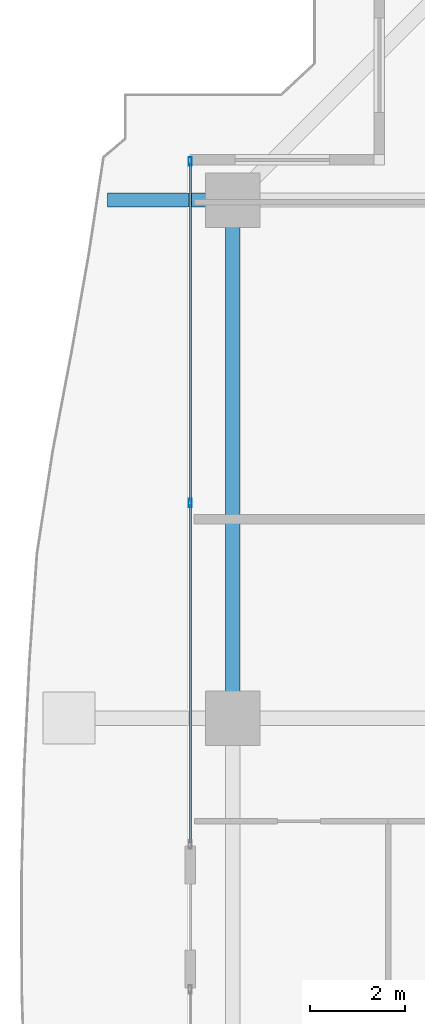
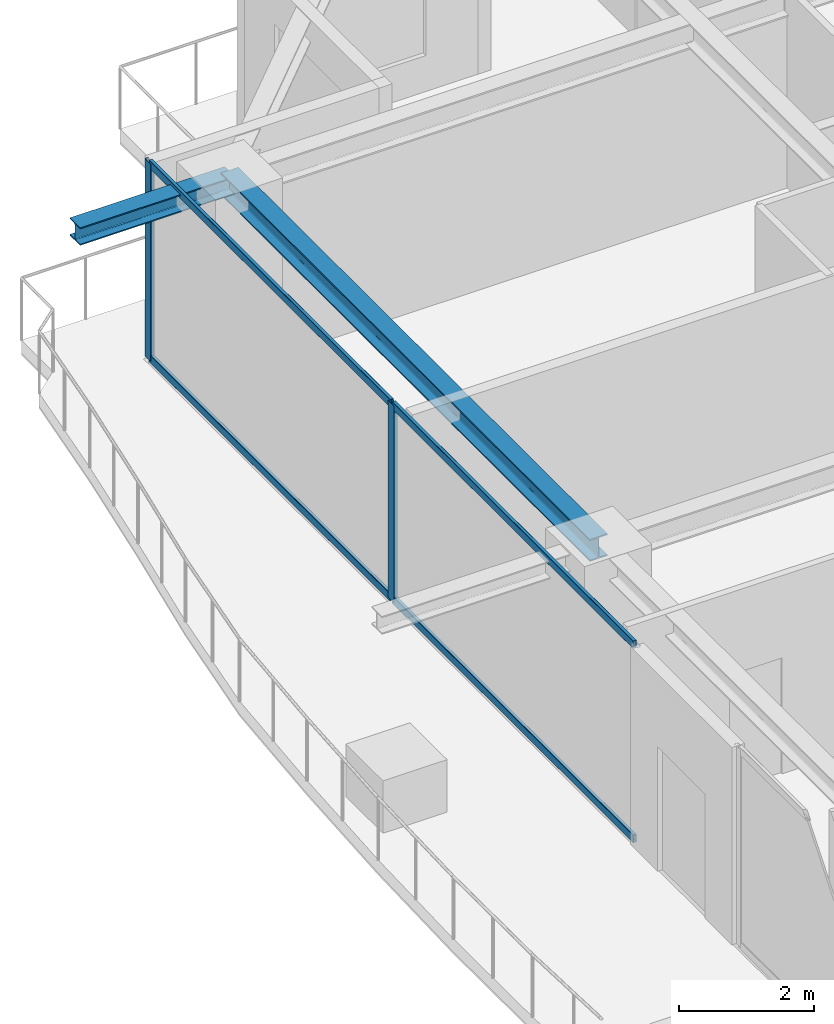
# One storey, part 16 of 37: 6 members, 2 beams, 1 element without a shape of its own.
"""IFC4 building model written with IfcOpenShell, lengths in metres."""

import ifcopenshell
import ifcopenshell.guid

model = None  # the IFC model being written
_history = None  # IfcOwnerHistory: only IFC2X3 demands one
_inside = {}  # id of a spatial element -> (the spatial element, [elements in it])
_under = {}  # id of a project, library or spatial element -> (it, [spatial elements below it])
_declared = {}  # id of a project -> (the project, [libraries it declares])
_typed = {}  # id of a type object -> (the type object, [elements of that type])
_made_of = {}  # id of a material, layer set ... -> (it, [elements and type objects made of it])


def new_model(schema):
    """Start an empty IFC model of exactly this schema.

    Asked for "IFC4X3", IfcOpenShell would pick the latest addendum, in which some entities
    have other attributes; the version numbers below select the first issue.
    IFC2X3 requires an IfcOwnerHistory on every rooted entity: one is made here for all.
    """
    global model, _history
    if schema == "IFC4X3":
        model = ifcopenshell.file(schema_version=(4, 3, 0, 0))
    else:
        model = ifcopenshell.file(schema=schema)
    _inside.clear()
    _under.clear()
    _declared.clear()
    _typed.clear()
    _made_of.clear()
    _history = None
    if model.schema == "IFC2X3":
        org = make("IfcOrganization", Name="unknown")
        user = make(
            "IfcPersonAndOrganization",
            ThePerson=make("IfcPerson", FamilyName="unknown"),
            TheOrganization=org,
        )
        app = make(
            "IfcApplication",
            ApplicationDeveloper=org,
            Version="unknown",
            ApplicationFullName="unknown",
            ApplicationIdentifier="unknown",
        )
        _history = make(
            "IfcOwnerHistory",
            OwningUser=user,
            OwningApplication=app,
            ChangeAction="ADDED",
            CreationDate=0,
        )
    return model


def make(cls, **values):
    """One entity of the class cls with the attributes given. An attribute that is None is left unset."""
    return model.create_entity(
        cls, **{name: value for name, value in values.items() if value is not None}
    )


def rooted(cls, **values):
    """An entity with a GlobalId (a new one), such as an element, a storey or a relation."""
    return make(cls, GlobalId=ifcopenshell.guid.new(), OwnerHistory=_history, **values)


def si_unit(unit_type, name, prefix=None):
    """IfcSIUnit, for example si_unit("LENGTHUNIT", "METRE", prefix="MILLI")."""
    return make("IfcSIUnit", UnitType=unit_type, Prefix=prefix, Name=name)


def assignment(units):
    """IfcUnitAssignment: the units of a project."""
    return None if units is None else make("IfcUnitAssignment", Units=units)


def point(xyz):
    """IfcCartesianPoint."""
    return None if xyz is None else make("IfcCartesianPoint", Coordinates=xyz)


def direction(xyz):
    """IfcDirection."""
    return None if xyz is None else make("IfcDirection", DirectionRatios=xyz)


def frame(location, z_axis=None, x_axis=None):
    """IfcAxis2Placement3D, a coordinate frame: its origin and axes. An axis left out is left unset."""
    return make(
        "IfcAxis2Placement3D",
        Location=point(location),
        Axis=direction(z_axis),
        RefDirection=direction(x_axis),
    )


def frame_2d(location, x_axis=None):
    """IfcAxis2Placement2D, a coordinate frame in the plane: its origin and x axis."""
    return make(
        "IfcAxis2Placement2D", Location=point(location), RefDirection=direction(x_axis)
    )


def origin():
    """The frame at (0, 0, 0) with its axes left unset."""
    return frame((0.0, 0.0, 0.0))


def origin_2d():
    """The frame at (0, 0) in the plane with its x axis left unset."""
    return frame_2d((0.0, 0.0))


def place(relative_to, where):
    """IfcLocalPlacement: puts the frame where relative to a parent placement (None: the world)."""
    return make(
        "IfcLocalPlacement", PlacementRelTo=relative_to, RelativePlacement=where
    )


def context(
    kind, dimensions, precision=None, world=None, true_north=None, identifier=None
):
    """IfcGeometricRepresentationContext, for example the 3D "Model" context."""
    return make(
        "IfcGeometricRepresentationContext",
        ContextIdentifier=identifier,
        ContextType=kind,
        CoordinateSpaceDimension=dimensions,
        Precision=precision,
        WorldCoordinateSystem=world,
        TrueNorth=true_north,
    )


def subcontext(parent, identifier, kind, view, scale=None):
    """IfcGeometricRepresentationSubContext, for example "Body" below "Model"."""
    return make(
        "IfcGeometricRepresentationSubContext",
        ContextIdentifier=identifier,
        ContextType=kind,
        ParentContext=parent,
        TargetScale=scale,
        TargetView=view,
    )


def project(units=None, contexts=None):
    """IfcProject with its units and contexts."""
    return rooted(
        "IfcProject",
        Name="project",
        RepresentationContexts=contexts,
        UnitsInContext=assignment(units),
    )


def spatial(cls, under=None, at=None, **own):
    """A site, building, storey or space (cls), placed at a placement, below another one or the project."""
    s = rooted(cls, ObjectPlacement=at, **own)
    if under is not None:
        _under.setdefault(under.id(), (under, []))[1].append(s)
    return s


def profile(cls, at=None, kind="AREA", **sizes):
    """A parametric profile (cls). Its sizes go by their IFC names, for example OverallWidth=200.0."""
    return make(cls, ProfileType=kind, Position=at, **sizes)


def hollow_rectangle(**sizes):
    """IfcRectangleHollowProfileDef."""
    return profile("IfcRectangleHollowProfileDef", **sizes)


def i_section(**sizes):
    """IfcIShapeProfileDef."""
    return profile("IfcIShapeProfileDef", **sizes)


def extrude(swept, where, along, depth):
    """IfcExtrudedAreaSolid: the profile swept, set in the frame where, extruded along a direction by depth."""
    return make(
        "IfcExtrudedAreaSolid",
        SweptArea=swept,
        Position=where,
        ExtrudedDirection=direction(along),
        Depth=depth,
    )


def shape(context_of_items, identifier, shape_type, items):
    """IfcShapeRepresentation: the items that make up one representation, for example the "Body"."""
    return make(
        "IfcShapeRepresentation",
        ContextOfItems=context_of_items,
        RepresentationIdentifier=identifier,
        RepresentationType=shape_type,
        Items=items,
    )


def source(mapping_origin, context_of_items, identifier, shape_type, items):
    """IfcRepresentationMap: a shape defined once, which mapped items show again and again."""
    return make(
        "IfcRepresentationMap",
        MappingOrigin=mapping_origin,
        MappedRepresentation=shape(context_of_items, identifier, shape_type, items),
    )


def transform(
    local_origin,
    x_axis=None,
    y_axis=None,
    z_axis=None,
    scale=None,
    scale2=None,
    scale3=None,
    uniform=True,
):
    """IfcCartesianTransformationOperator3D, or its non-uniform kind. x_axis, y_axis, z_axis: its Axis1, 2, 3."""
    if uniform:
        return make(
            "IfcCartesianTransformationOperator3D",
            Axis1=direction(x_axis),
            Axis2=direction(y_axis),
            LocalOrigin=point(local_origin),
            Scale=scale,
            Axis3=direction(z_axis),
        )
    return make(
        "IfcCartesianTransformationOperator3DnonUniform",
        Axis1=direction(x_axis),
        Axis2=direction(y_axis),
        LocalOrigin=point(local_origin),
        Scale=scale,
        Axis3=direction(z_axis),
        Scale2=scale2,
        Scale3=scale3,
    )


def mapped(mapping_source, mapping_target):
    """IfcMappedItem: shows the shape of a source again, moved by a transform."""
    return make(
        "IfcMappedItem", MappingSource=mapping_source, MappingTarget=mapping_target
    )


def material(Name=None, Category=None):
    """IfcMaterial."""
    return make("IfcMaterial", Name=Name, Category=Category)


def layer(
    of_material, thickness, ventilated=None, Name=None, Category=None, Priority=None
):
    """IfcMaterialLayer: one layer of a wall or slab, of a material (None: an air gap)."""
    return make(
        "IfcMaterialLayer",
        Material=of_material,
        LayerThickness=thickness,
        IsVentilated=ventilated,
        Name=Name,
        Category=Category,
        Priority=Priority,
    )


def layer_set(layers, Name=None):
    """IfcMaterialLayerSet."""
    return make("IfcMaterialLayerSet", MaterialLayers=layers, LayerSetName=Name)


def material_profile(
    of_material, cross_section, Name=None, Category=None, Priority=None
):
    """IfcMaterialProfile: a cross section and its material."""
    return make(
        "IfcMaterialProfile",
        Name=Name,
        Material=of_material,
        Profile=cross_section,
        Priority=Priority,
        Category=Category,
    )


def profile_set(profiles, Name=None, composite=None):
    """IfcMaterialProfileSet."""
    return make(
        "IfcMaterialProfileSet",
        Name=Name,
        MaterialProfiles=profiles,
        CompositeProfile=composite,
    )


def made_of(thing, what):
    """Note that an element or type object is made of a material, layer set ...; save() writes the relation."""
    if what is not None:
        _made_of.setdefault(what.id(), (what, []))[1].append(thing)
    return thing


def type_object(cls, material=None, **own):
    """A type object (cls), such as IfcWallType, which elements share."""
    return made_of(rooted(cls, **own), material)


def element(
    cls,
    number,
    at=None,
    inside=None,
    cuts=None,
    type_object=None,
    material=None,
    context=None,
    identifier="Body",
    shape_type=None,
    held_by="IfcProductDefinitionShape",
    body=None,
    shapes=None,
    **own,
):
    """One element of the class cls, such as IfcWall. Its Tag is "e" and its number.

    at: its placement. inside: the storey or other place that contains it. cuts: it is an
    opening in that element (IfcRelVoidsElement). A single representation is given by context,
    identifier, shape_type and body (its items); several are given by shapes. held_by: the class
    of the entity that holds the representations. save() writes the other relations.
    """
    e = rooted(cls, Tag="e%d" % number, ObjectPlacement=at, **own)
    if body is not None:
        shapes = [shape(context, identifier, shape_type, body)]
    if shapes is not None:
        e.Representation = make(held_by, Representations=shapes)
    if inside is not None:
        _inside.setdefault(inside.id(), (inside, []))[1].append(e)
    if cuts is not None:
        rooted(
            "IfcRelVoidsElement", RelatingBuildingElement=cuts, RelatedOpeningElement=e
        )
    if type_object is not None:
        _typed.setdefault(type_object.id(), (type_object, []))[1].append(e)
    return made_of(e, material)


def aggregate(whole, parts):
    """IfcRelAggregates: a whole, such as a stair, and the parts it consists of."""
    return rooted("IfcRelAggregates", RelatingObject=whole, RelatedObjects=parts)


def save(model, path):
    """Write the relations noted so far, then the file.

    IfcRelAggregates (storeys below a building ...), IfcRelContainedInSpatialStructure (elements
    in a storey), IfcRelDefinesByType, IfcRelAssociatesMaterial and IfcRelDeclares: one each for
    every whole, place, type object, material and project.
    """
    for whole, parts in _under.values():
        aggregate(whole, parts)
    for where, things in _inside.values():
        rooted(
            "IfcRelContainedInSpatialStructure",
            RelatedElements=things,
            RelatingStructure=where,
        )
    for kind, things in _typed.values():
        rooted("IfcRelDefinesByType", RelatedObjects=things, RelatingType=kind)
    for what, things in _made_of.values():
        rooted("IfcRelAssociatesMaterial", RelatedObjects=things, RelatingMaterial=what)
    for by, libraries in _declared.values():
        rooted("IfcRelDeclares", RelatingContext=by, RelatedDefinitions=libraries)
    model.write(path)


model = new_model("IFC4")

# Units and contexts
model_context = context("Model", 3, precision=1e-05, world=origin(), true_north=direction((0.0, 1.0)))
body_context = subcontext(model_context, "Body", "Model", "MODEL_VIEW")
ifc_project = project(units=[si_unit("LENGTHUNIT", "METRE"), si_unit("AREAUNIT", "SQUARE_METRE"), si_unit("VOLUMEUNIT", "CUBIC_METRE"), si_unit("PLANEANGLEUNIT", "RADIAN"), si_unit("MASSUNIT", "GRAM", prefix="KILO")], contexts=[model_context])

# Site, building, storey
site_placement = place(None, origin())
site = spatial("IfcSite", under=ifc_project, at=site_placement, CompositionType="ELEMENT")
building_placement = place(site_placement, origin())
building = spatial("IfcBuilding", under=site, at=building_placement, Name="Serunith Strait Residences", CompositionType="ELEMENT")
storey_placement = place(building_placement, frame((0.0, 0.0, 218.14990234375)))
storey = spatial("IfcBuildingStorey", under=building, at=storey_placement, Name="L54", CompositionType="ELEMENT", Elevation=218.14990234375)

# Beams
ifc_material_1 = material(Name="Steel S355J2", Category="steel")
ifc_material_profile_1 = material_profile(ifc_material_1, i_section(OverallWidth=0.300048828125, OverallDepth=0.39990234375, WebThickness=0.013427734375, FlangeThickness=0.02392578125, FilletRadius=0.027099609375, at=origin_2d()), Name="HEB 400")
ifc_profile_set_1 = profile_set([ifc_material_profile_1], Name="Steel S355J2")
beam_type_1 = type_object("IfcBeamType", Name="BM-HEB400", PredefinedType="BEAM", material=ifc_profile_set_1)
shared_shape_1 = source(origin(), body_context, "Body", "SweptSolid", [
    extrude(i_section(OverallWidth=0.300048828125, OverallDepth=0.39990234375, WebThickness=0.013427734375, FlangeThickness=0.02392578125, FilletRadius=0.027099609375, at=origin_2d()), origin(), (0.0, 0.0, 1.0), 10.9501953125),
])
beam_1_placement = place(storey_placement, frame((8.300048828125, 40.35009765625, 3.38720703125), z_axis=(0.0, -1.0, 0.0), x_axis=(1.0, 0.0, 0.0)))
element("IfcBeam", 1, at=beam_1_placement, inside=storey, type_object=beam_type_1, Name="L54 Perimeter Ring Beam 13", PredefinedType="BEAM", context=body_context, shape_type="MappedRepresentation", body=[
    mapped(shared_shape_1, transform((0.0, 0.0, 0.0), scale=1.0)),
])
ifc_material_profile_2 = material_profile(ifc_material_1, i_section(OverallWidth=0.300048828125, OverallDepth=0.320068359375, WebThickness=0.011474609375, FlangeThickness=0.0205078125, FilletRadius=0.027099609375, at=origin_2d()), Name="HEB 320")
ifc_profile_set_2 = profile_set([ifc_material_profile_2], Name="Steel S355J2")
beam_type_2 = type_object("IfcBeamType", Name="BM-HEB320", PredefinedType="BEAM", material=ifc_profile_set_2)
shared_shape_2 = source(origin(), body_context, "Body", "SweptSolid", [
    extrude(i_section(OverallWidth=0.300048828125, OverallDepth=0.320068359375, WebThickness=0.011474609375, FlangeThickness=0.0205078125, FilletRadius=0.027099609375, at=origin_2d()), origin(), (0.0, 0.0, 1.0), 2.6494140625),
])
beam_2_placement = place(storey_placement, frame((8.300048828125, 40.35009765625, 3.397216796875), z_axis=(-1.0, 0.0, 0.0), x_axis=(0.0, -1.0, 0.0)))
element("IfcBeam", 2, at=beam_2_placement, inside=storey, type_object=beam_type_2, Name="L55 Cantilevered Balcony Rib TC-W4", PredefinedType="BEAM", context=body_context, shape_type="MappedRepresentation", body=[
    mapped(shared_shape_2, transform((0.0, 0.0, 0.0), scale=1.0)),
])

# Curtain wall, members
ifc_material_2 = material(Name="Pale-Champagne Anodised Aluminium", Category="aluminium")
ifc_layer = layer(ifc_material_2, 0.199951171875, Name="Pale-Champagne Anodised Aluminium")
ifc_layer_set = layer_set([ifc_layer], Name="Pale-Champagne Anodised Aluminium")
curtain_wall_type = type_object("IfcCurtainWallType", Name="CW-SYS4", PredefinedType="NOTDEFINED", material=ifc_layer_set)
curtain_wall_placement = place(storey_placement, origin())
curtain_wall = element("IfcCurtainWall", 3, at=curtain_wall_placement, inside=storey, type_object=curtain_wall_type, Name="L54 W Unitised Fritted Curtain Wall", PredefinedType="NOTDEFINED")
ifc_material_profile_3 = material_profile(ifc_material_2, hollow_rectangle(XDim=0.06005859375, YDim=0.139892578125, WallThickness=0.00341796875, InnerFilletRadius=0.00537109375, OuterFilletRadius=0.0087890625, at=origin_2d()), Name="ALU 140x60x3.5")
ifc_profile_set_3 = profile_set([ifc_material_profile_3], Name="Pale-Champagne Anodised Aluminium")
member_type_1 = type_object("IfcMemberType", Name="CW-SYS4-TRAN", PredefinedType="USERDEFINED", material=ifc_profile_set_3)
shared_shape_3 = source(origin(), body_context, "Body", "SweptSolid", [
    extrude(hollow_rectangle(XDim=0.06005859375, YDim=0.139892578125, WallThickness=0.00341796875, InnerFilletRadius=0.00537109375, OuterFilletRadius=0.0087890625, at=origin_2d()), origin(), (0.0, 0.0, 1.0), 7.152587890625),
])
member_1_placement = place(storey_placement, frame((7.39990234375, 41.135009765625, 0.030029296875), z_axis=(0.0, -1.0, 0.0), x_axis=(1.0, 0.0, 0.0)))
member_1 = element("IfcMember", 4, at=member_1_placement, type_object=member_type_1, Name="CW-4 transom 1.1", ObjectType="TRANSOM", PredefinedType="USERDEFINED", context=body_context, shape_type="MappedRepresentation", body=[
    mapped(shared_shape_3, transform((0.0, 0.0, 0.0), scale=1.0)),
])
member_2_placement = place(storey_placement, frame((7.39990234375, 41.135009765625, 3.545166015625), z_axis=(0.0, -1.0, 0.0), x_axis=(1.0, 0.0, 0.0)))
member_2 = element("IfcMember", 5, at=member_2_placement, type_object=member_type_1, Name="CW-4 transom 1.2", ObjectType="TRANSOM", PredefinedType="USERDEFINED", context=body_context, shape_type="MappedRepresentation", body=[
    mapped(shared_shape_3, transform((0.0, 0.0, 0.0), scale=1.0)),
])
member_3_placement = place(storey_placement, frame((7.39990234375, 33.91748046875, 0.030029296875), z_axis=(0.0, -1.0, 0.0), x_axis=(1.0, 0.0, 0.0)))
member_3 = element("IfcMember", 6, at=member_3_placement, type_object=member_type_1, Name="CW-4 transom 2.1", ObjectType="TRANSOM", PredefinedType="USERDEFINED", context=body_context, shape_type="MappedRepresentation", body=[
    mapped(shared_shape_3, transform((0.0, 0.0, 0.0), scale=1.0)),
])
member_4_placement = place(storey_placement, frame((7.39990234375, 33.91748046875, 3.545166015625), z_axis=(0.0, -1.0, 0.0), x_axis=(1.0, 0.0, 0.0)))
member_4 = element("IfcMember", 7, at=member_4_placement, type_object=member_type_1, Name="CW-4 transom 2.2", ObjectType="TRANSOM", PredefinedType="USERDEFINED", context=body_context, shape_type="MappedRepresentation", body=[
    mapped(shared_shape_3, transform((0.0, 0.0, 0.0), scale=1.0)),
])
ifc_material_profile_4 = material_profile(ifc_material_2, hollow_rectangle(XDim=0.06494140625, YDim=0.179931640625, WallThickness=0.00341796875, InnerFilletRadius=0.00537109375, OuterFilletRadius=0.0087890625, at=origin_2d()), Name="ALU 180x65x3.5")
ifc_profile_set_4 = profile_set([ifc_material_profile_4], Name="Pale-Champagne Anodised Aluminium")
member_type_2 = type_object("IfcMemberType", Name="CW-SYS4-MULL", PredefinedType="MULLION", material=ifc_profile_set_4)
shared_shape_4 = source(origin(), body_context, "Body", "SweptSolid", [
    extrude(hollow_rectangle(XDim=0.06494140625, YDim=0.179931640625, WallThickness=0.00341796875, InnerFilletRadius=0.00537109375, OuterFilletRadius=0.0087890625, at=origin_2d()), origin(), (0.0, 0.0, 1.0), 3.5751953125),
])
member_5_placement = place(storey_placement, frame((7.39990234375, 41.16748046875, 0.0), z_axis=(0.0, 0.0, 1.0), x_axis=(1.0, 0.0, 0.0)))
member_5 = element("IfcMember", 8, at=member_5_placement, type_object=member_type_2, Name="CW-4 mullion 1", PredefinedType="MULLION", context=body_context, shape_type="MappedRepresentation", body=[
    mapped(shared_shape_4, transform((0.0, 0.0, 0.0), scale=1.0)),
])
member_6_placement = place(storey_placement, frame((7.39990234375, 33.949951171875, 0.0), z_axis=(0.0, 0.0, 1.0), x_axis=(1.0, 0.0, 0.0)))
member_6 = element("IfcMember", 9, at=member_6_placement, type_object=member_type_2, Name="CW-4 mullion 2", PredefinedType="MULLION", context=body_context, shape_type="MappedRepresentation", body=[
    mapped(shared_shape_4, transform((0.0, 0.0, 0.0), scale=1.0)),
])
aggregate(curtain_wall, [member_5, member_6, member_1, member_2, member_3, member_4])

save(model, "model.ifc")
